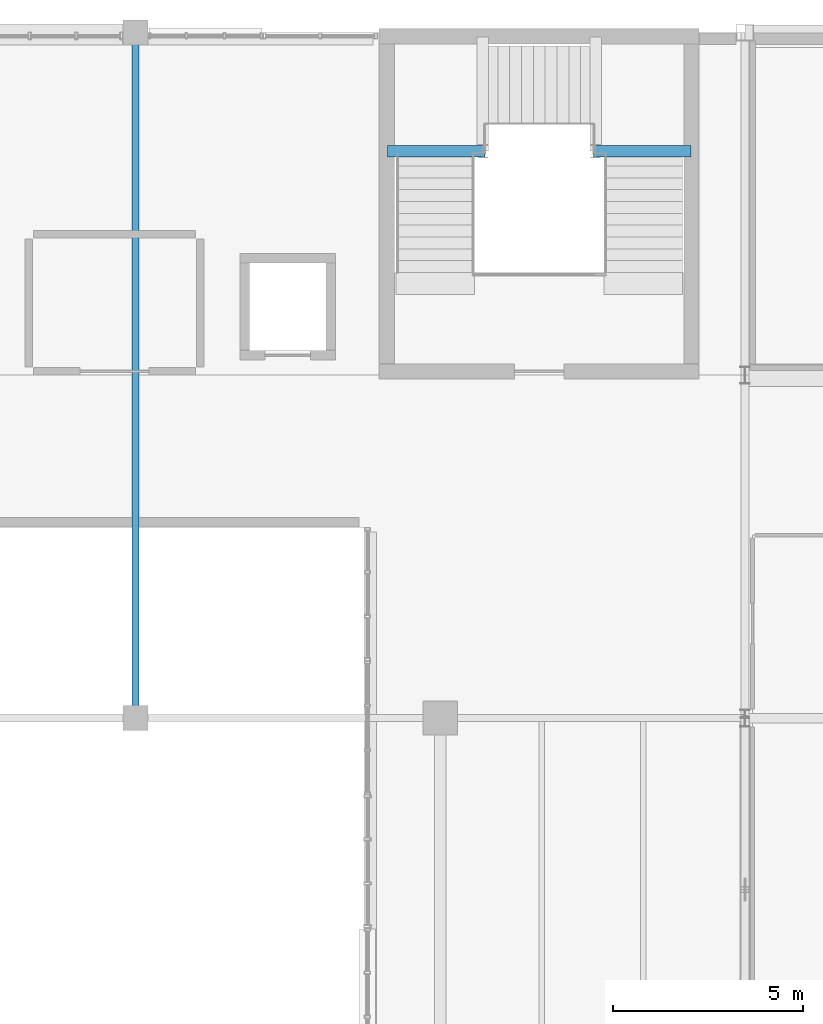
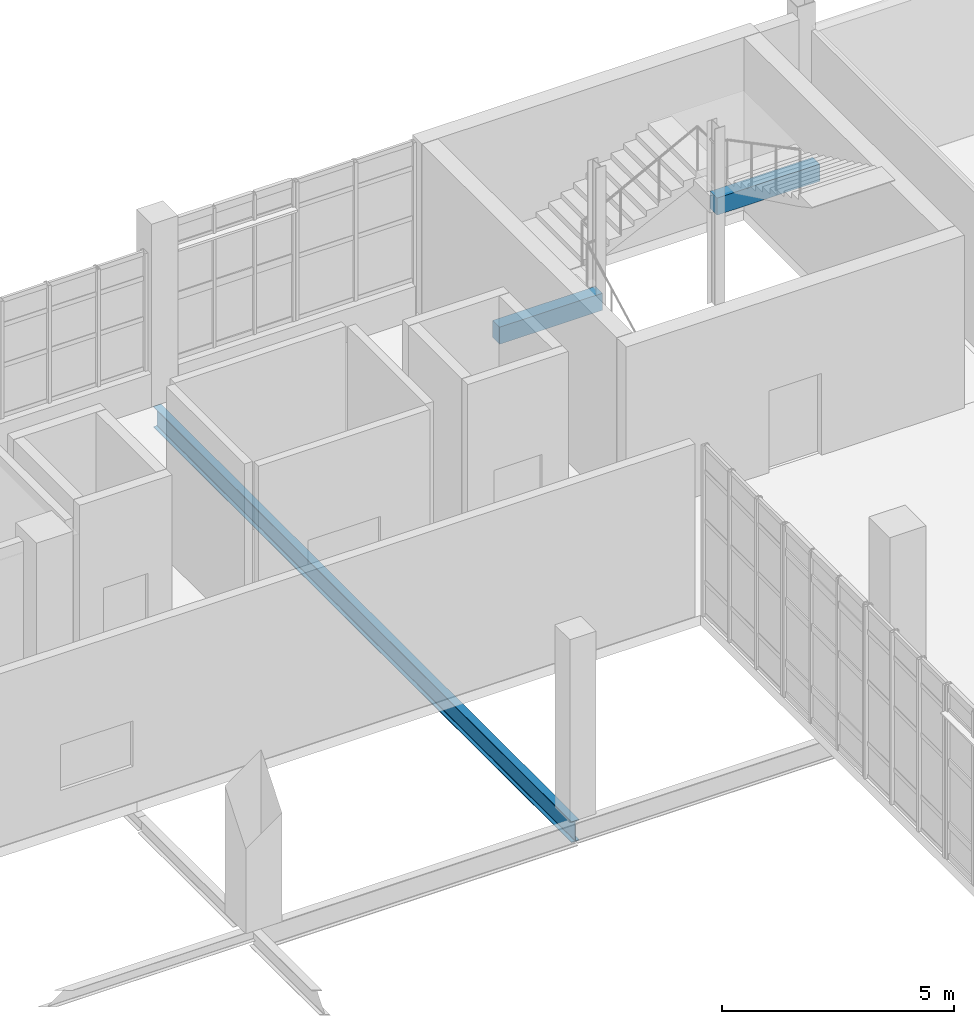
# One storey, part 46 of 100: 3 beams.
"""IFC4 building model written with IfcOpenShell, lengths in metres."""

from ifc_helpers import new_model, si_unit, derived_unit, direction, frame, origin, origin_2d, place, context, subcontext, project, spatial, rectangle, i_section, extrude, material, material_profile, profile_set, type_object, element, save


model = new_model("IFC4")

# Units and contexts
model_context = context("Model", 3, precision=1e-05, world=origin(), true_north=direction((0.0, 1.0)))
body_context = subcontext(model_context, "Body", "Model", "MODEL_VIEW")
ifc_project = project(units=[si_unit("LENGTHUNIT", "METRE"), si_unit("AREAUNIT", "SQUARE_METRE"), si_unit("VOLUMEUNIT", "CUBIC_METRE"), si_unit("PLANEANGLEUNIT", "RADIAN"), si_unit("MASSUNIT", "GRAM", prefix="KILO"), derived_unit("THERMALTRANSMITTANCEUNIT", [(si_unit("POWERUNIT", "WATT"), 1), (si_unit("LENGTHUNIT", "METRE"), -2), (si_unit("THERMODYNAMICTEMPERATUREUNIT", "KELVIN"), -1)])], contexts=[model_context])

# Site, building, storey
site_placement = place(None, origin())
site = spatial("IfcSite", under=ifc_project, at=site_placement, CompositionType="ELEMENT")
building_placement = place(site_placement, origin())
building = spatial("IfcBuilding", under=site, at=building_placement, Name="Nallur Shell Playhouse", CompositionType="ELEMENT")
storey_placement = place(building_placement, frame((0.0, 0.0, 10.199951171875)))
storey = spatial("IfcBuildingStorey", under=building, at=storey_placement, Name="L03", CompositionType="ELEMENT", Elevation=10.199951171875)

# Beams
ifc_material_1 = material(Name="Concrete M35", Category="concrete")
ifc_material_profile_1 = material_profile(ifc_material_1, rectangle(XDim=0.300048828125, YDim=0.449951171875, at=origin_2d()), Name="RC 300x450")
ifc_profile_set_1 = profile_set([ifc_material_profile_1], Name="Concrete M35")
beam_type_1 = type_object("IfcBeamType", Name="BM-SPN-300x450", PredefinedType="SPANDREL", material=ifc_profile_set_1)
beam_1_placement = place(storey_placement, frame((54.6201171875, 79.8798828125, 1.22509765625), z_axis=(1.0, 0.0, 0.0), x_axis=(0.0, 1.0, 0.0)))
element("IfcBeam", 1, at=beam_1_placement, inside=storey, type_object=beam_type_1, Name="Stair ST-03-L03 L1 south bearer beam", PredefinedType="SPANDREL", context=body_context, shape_type="SweptSolid", body=[
    extrude(rectangle(XDim=0.300048828125, YDim=0.449951171875, at=origin_2d()), origin(), (0.0, 0.0, 1.0), 2.559814453125),
])
beam_2_placement = place(storey_placement, frame((60.02001953125, 79.8798828125, 2.72509765625), z_axis=(1.0, 0.0, 0.0), x_axis=(0.0, 1.0, 0.0)))
element("IfcBeam", 2, at=beam_2_placement, inside=storey, type_object=beam_type_1, Name="Stair ST-03-L03 L2 south bearer beam", PredefinedType="SPANDREL", context=body_context, shape_type="SweptSolid", body=[
    extrude(rectangle(XDim=0.300048828125, YDim=0.449951171875, at=origin_2d()), origin(), (0.0, 0.0, 1.0), 2.56005859375),
])
ifc_material_2 = material(Name="Steel E350", Category="steel")
ifc_material_profile_2 = material_profile(ifc_material_2, i_section(OverallWidth=0.18994140625, OverallDepth=0.550048828125, WebThickness=0.01123046875, FlangeThickness=0.019287109375, FilletRadius=0.01806640625, at=origin_2d()), Name="ISMB 550")
ifc_profile_set_2 = profile_set([ifc_material_profile_2], Name="Steel E350")
beam_type_2 = type_object("IfcBeamType", Name="BM-ST-ISMB550", PredefinedType="BEAM", material=ifc_profile_set_2)
beam_3_placement = place(storey_placement, frame((48.0, 65.0, -0.534912109375), z_axis=(0.0, 1.0, 0.0), x_axis=(-1.0, 0.0, 0.0)))
element("IfcBeam", 3, at=beam_3_placement, inside=storey, type_object=beam_type_2, Name="L03 girder Y-6-649", PredefinedType="BEAM", context=body_context, shape_type="SweptSolid", body=[
    extrude(i_section(OverallWidth=0.18994140625, OverallDepth=0.550048828125, WebThickness=0.01123046875, FlangeThickness=0.019287109375, FilletRadius=0.01806640625, at=origin_2d()), origin(), (0.0, 0.0, 1.0), 18.0),
])

save(model, "model.ifc")
